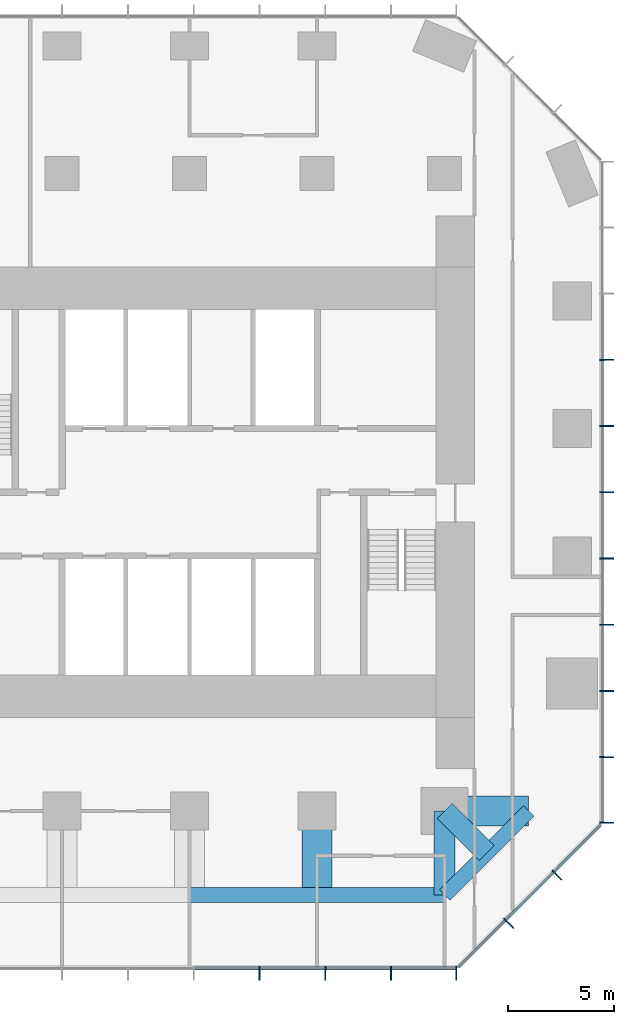
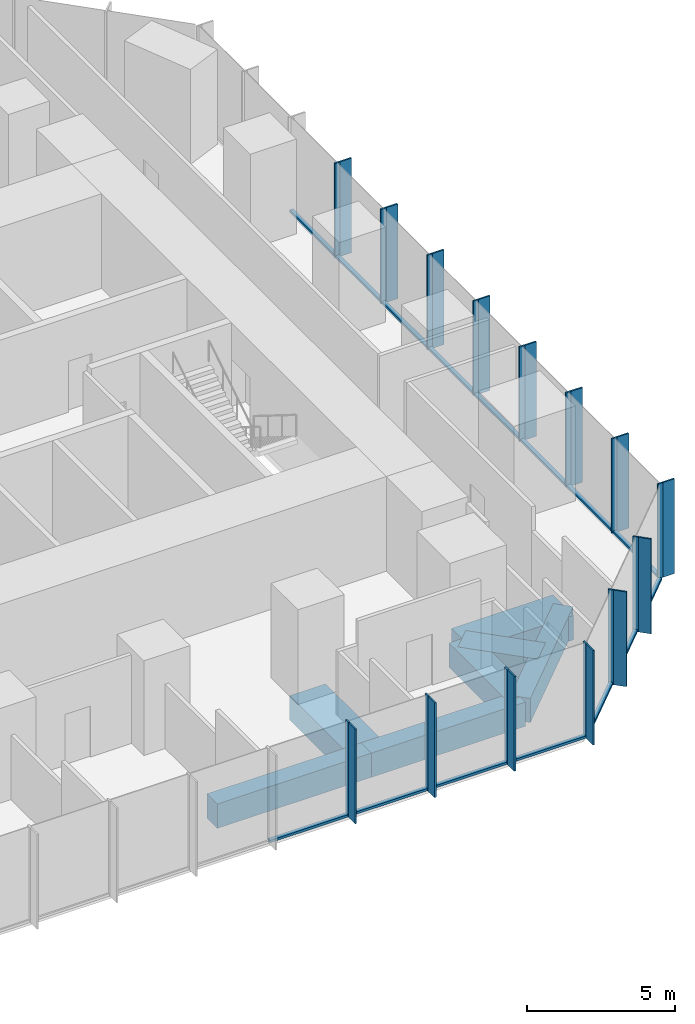
# One storey, part 4 of 11: 43 members, 7 beams, 3 elements without a shape of their own.
"""IFC4 building model written with IfcOpenShell, lengths in metres."""

import ifcopenshell
import ifcopenshell.guid

model = None  # the IFC model being written
_history = None  # IfcOwnerHistory: only IFC2X3 demands one
_inside = {}  # id of a spatial element -> (the spatial element, [elements in it])
_under = {}  # id of a project, library or spatial element -> (it, [spatial elements below it])
_declared = {}  # id of a project -> (the project, [libraries it declares])
_typed = {}  # id of a type object -> (the type object, [elements of that type])
_made_of = {}  # id of a material, layer set ... -> (it, [elements and type objects made of it])


def new_model(schema):
    """Start an empty IFC model of exactly this schema.

    Asked for "IFC4X3", IfcOpenShell would pick the latest addendum, in which some entities
    have other attributes; the version numbers below select the first issue.
    IFC2X3 requires an IfcOwnerHistory on every rooted entity: one is made here for all.
    """
    global model, _history
    if schema == "IFC4X3":
        model = ifcopenshell.file(schema_version=(4, 3, 0, 0))
    else:
        model = ifcopenshell.file(schema=schema)
    _inside.clear()
    _under.clear()
    _declared.clear()
    _typed.clear()
    _made_of.clear()
    _history = None
    if model.schema == "IFC2X3":
        org = make("IfcOrganization", Name="unknown")
        user = make(
            "IfcPersonAndOrganization",
            ThePerson=make("IfcPerson", FamilyName="unknown"),
            TheOrganization=org,
        )
        app = make(
            "IfcApplication",
            ApplicationDeveloper=org,
            Version="unknown",
            ApplicationFullName="unknown",
            ApplicationIdentifier="unknown",
        )
        _history = make(
            "IfcOwnerHistory",
            OwningUser=user,
            OwningApplication=app,
            ChangeAction="ADDED",
            CreationDate=0,
        )
    return model


def make(cls, **values):
    """One entity of the class cls with the attributes given. An attribute that is None is left unset."""
    return model.create_entity(
        cls, **{name: value for name, value in values.items() if value is not None}
    )


def rooted(cls, **values):
    """An entity with a GlobalId (a new one), such as an element, a storey or a relation."""
    return make(cls, GlobalId=ifcopenshell.guid.new(), OwnerHistory=_history, **values)


def si_unit(unit_type, name, prefix=None):
    """IfcSIUnit, for example si_unit("LENGTHUNIT", "METRE", prefix="MILLI")."""
    return make("IfcSIUnit", UnitType=unit_type, Prefix=prefix, Name=name)


def assignment(units):
    """IfcUnitAssignment: the units of a project."""
    return None if units is None else make("IfcUnitAssignment", Units=units)


def point(xyz):
    """IfcCartesianPoint."""
    return None if xyz is None else make("IfcCartesianPoint", Coordinates=xyz)


def direction(xyz):
    """IfcDirection."""
    return None if xyz is None else make("IfcDirection", DirectionRatios=xyz)


def frame(location, z_axis=None, x_axis=None):
    """IfcAxis2Placement3D, a coordinate frame: its origin and axes. An axis left out is left unset."""
    return make(
        "IfcAxis2Placement3D",
        Location=point(location),
        Axis=direction(z_axis),
        RefDirection=direction(x_axis),
    )


def frame_2d(location, x_axis=None):
    """IfcAxis2Placement2D, a coordinate frame in the plane: its origin and x axis."""
    return make(
        "IfcAxis2Placement2D", Location=point(location), RefDirection=direction(x_axis)
    )


def origin():
    """The frame at (0, 0, 0) with its axes left unset."""
    return frame((0.0, 0.0, 0.0))


def origin_2d():
    """The frame at (0, 0) in the plane with its x axis left unset."""
    return frame_2d((0.0, 0.0))


def place(relative_to, where):
    """IfcLocalPlacement: puts the frame where relative to a parent placement (None: the world)."""
    return make(
        "IfcLocalPlacement", PlacementRelTo=relative_to, RelativePlacement=where
    )


def context(
    kind, dimensions, precision=None, world=None, true_north=None, identifier=None
):
    """IfcGeometricRepresentationContext, for example the 3D "Model" context."""
    return make(
        "IfcGeometricRepresentationContext",
        ContextIdentifier=identifier,
        ContextType=kind,
        CoordinateSpaceDimension=dimensions,
        Precision=precision,
        WorldCoordinateSystem=world,
        TrueNorth=true_north,
    )


def subcontext(parent, identifier, kind, view, scale=None):
    """IfcGeometricRepresentationSubContext, for example "Body" below "Model"."""
    return make(
        "IfcGeometricRepresentationSubContext",
        ContextIdentifier=identifier,
        ContextType=kind,
        ParentContext=parent,
        TargetScale=scale,
        TargetView=view,
    )


def project(units=None, contexts=None):
    """IfcProject with its units and contexts."""
    return rooted(
        "IfcProject",
        Name="project",
        RepresentationContexts=contexts,
        UnitsInContext=assignment(units),
    )


def spatial(cls, under=None, at=None, **own):
    """A site, building, storey or space (cls), placed at a placement, below another one or the project."""
    s = rooted(cls, ObjectPlacement=at, **own)
    if under is not None:
        _under.setdefault(under.id(), (under, []))[1].append(s)
    return s


def profile(cls, at=None, kind="AREA", **sizes):
    """A parametric profile (cls). Its sizes go by their IFC names, for example OverallWidth=200.0."""
    return make(cls, ProfileType=kind, Position=at, **sizes)


def rectangle(**sizes):
    """IfcRectangleProfileDef."""
    return profile("IfcRectangleProfileDef", **sizes)


def extrude(swept, where, along, depth):
    """IfcExtrudedAreaSolid: the profile swept, set in the frame where, extruded along a direction by depth."""
    return make(
        "IfcExtrudedAreaSolid",
        SweptArea=swept,
        Position=where,
        ExtrudedDirection=direction(along),
        Depth=depth,
    )


def shape(context_of_items, identifier, shape_type, items):
    """IfcShapeRepresentation: the items that make up one representation, for example the "Body"."""
    return make(
        "IfcShapeRepresentation",
        ContextOfItems=context_of_items,
        RepresentationIdentifier=identifier,
        RepresentationType=shape_type,
        Items=items,
    )


def material(Name=None, Category=None):
    """IfcMaterial."""
    return make("IfcMaterial", Name=Name, Category=Category)


def layer(
    of_material, thickness, ventilated=None, Name=None, Category=None, Priority=None
):
    """IfcMaterialLayer: one layer of a wall or slab, of a material (None: an air gap)."""
    return make(
        "IfcMaterialLayer",
        Material=of_material,
        LayerThickness=thickness,
        IsVentilated=ventilated,
        Name=Name,
        Category=Category,
        Priority=Priority,
    )


def layer_set(layers, Name=None):
    """IfcMaterialLayerSet."""
    return make("IfcMaterialLayerSet", MaterialLayers=layers, LayerSetName=Name)


def material_profile(
    of_material, cross_section, Name=None, Category=None, Priority=None
):
    """IfcMaterialProfile: a cross section and its material."""
    return make(
        "IfcMaterialProfile",
        Name=Name,
        Material=of_material,
        Profile=cross_section,
        Priority=Priority,
        Category=Category,
    )


def profile_set(profiles, Name=None, composite=None):
    """IfcMaterialProfileSet."""
    return make(
        "IfcMaterialProfileSet",
        Name=Name,
        MaterialProfiles=profiles,
        CompositeProfile=composite,
    )


def made_of(thing, what):
    """Note that an element or type object is made of a material, layer set ...; save() writes the relation."""
    if what is not None:
        _made_of.setdefault(what.id(), (what, []))[1].append(thing)
    return thing


def type_object(cls, material=None, **own):
    """A type object (cls), such as IfcWallType, which elements share."""
    return made_of(rooted(cls, **own), material)


def element(
    cls,
    number,
    at=None,
    inside=None,
    cuts=None,
    type_object=None,
    material=None,
    context=None,
    identifier="Body",
    shape_type=None,
    held_by="IfcProductDefinitionShape",
    body=None,
    shapes=None,
    **own,
):
    """One element of the class cls, such as IfcWall. Its Tag is "e" and its number.

    at: its placement. inside: the storey or other place that contains it. cuts: it is an
    opening in that element (IfcRelVoidsElement). A single representation is given by context,
    identifier, shape_type and body (its items); several are given by shapes. held_by: the class
    of the entity that holds the representations. save() writes the other relations.
    """
    e = rooted(cls, Tag="e%d" % number, ObjectPlacement=at, **own)
    if body is not None:
        shapes = [shape(context, identifier, shape_type, body)]
    if shapes is not None:
        e.Representation = make(held_by, Representations=shapes)
    if inside is not None:
        _inside.setdefault(inside.id(), (inside, []))[1].append(e)
    if cuts is not None:
        rooted(
            "IfcRelVoidsElement", RelatingBuildingElement=cuts, RelatedOpeningElement=e
        )
    if type_object is not None:
        _typed.setdefault(type_object.id(), (type_object, []))[1].append(e)
    return made_of(e, material)


def aggregate(whole, parts):
    """IfcRelAggregates: a whole, such as a stair, and the parts it consists of."""
    return rooted("IfcRelAggregates", RelatingObject=whole, RelatedObjects=parts)


def save(model, path):
    """Write the relations noted so far, then the file.

    IfcRelAggregates (storeys below a building ...), IfcRelContainedInSpatialStructure (elements
    in a storey), IfcRelDefinesByType, IfcRelAssociatesMaterial and IfcRelDeclares: one each for
    every whole, place, type object, material and project.
    """
    for whole, parts in _under.values():
        aggregate(whole, parts)
    for where, things in _inside.values():
        rooted(
            "IfcRelContainedInSpatialStructure",
            RelatedElements=things,
            RelatingStructure=where,
        )
    for kind, things in _typed.values():
        rooted("IfcRelDefinesByType", RelatedObjects=things, RelatingType=kind)
    for what, things in _made_of.values():
        rooted("IfcRelAssociatesMaterial", RelatedObjects=things, RelatingMaterial=what)
    for by, libraries in _declared.values():
        rooted("IfcRelDeclares", RelatingContext=by, RelatedDefinitions=libraries)
    model.write(path)


model = new_model("IFC4")

# Units and contexts
model_context = context("Model", 3, precision=1e-05, world=origin(), true_north=direction((0.0, 1.0)))
body_context = subcontext(model_context, "Body", "Model", "MODEL_VIEW")
ifc_project = project(units=[si_unit("LENGTHUNIT", "METRE"), si_unit("AREAUNIT", "SQUARE_METRE"), si_unit("VOLUMEUNIT", "CUBIC_METRE"), si_unit("PLANEANGLEUNIT", "RADIAN"), si_unit("MASSUNIT", "GRAM", prefix="KILO")], contexts=[model_context])

# Site, building, storey
site_placement = place(None, origin())
site = spatial("IfcSite", under=ifc_project, at=site_placement, CompositionType="ELEMENT")
building_placement = place(site_placement, origin())
building = spatial("IfcBuilding", under=site, at=building_placement, Name="Highveld Stack Headquarters", CompositionType="ELEMENT")
storey_placement = place(building_placement, frame((0.0, 0.0, 125.0)))
storey = spatial("IfcBuildingStorey", under=building, at=storey_placement, Name="L30", CompositionType="ELEMENT", Elevation=125.0)

# Beams
ifc_material_1 = material(Name="Concrete C60/75", Category="concrete")
ifc_material_profile_1 = material_profile(ifc_material_1, rectangle(XDim=1.0, YDim=1.0, at=origin_2d()), Name="RC 1000x1000")
ifc_profile_set_1 = profile_set([ifc_material_profile_1], Name="Concrete C60/75")
beam_type_1 = type_object("IfcBeamType", Name="CANTILEVER RIB RC 1000x1000", PredefinedType="USERDEFINED", material=ifc_profile_set_1)
beam_1_placement = place(storey_placement, frame((18.0, -12.0, -0.75), z_axis=(0.0, -1.0, 0.0), x_axis=(1.0, 0.0, 0.0)))
element("IfcBeam", 1, at=beam_1_placement, inside=storey, type_object=beam_type_1, Name="Cantilever rib 9/C L30", ObjectType="CANTILEVER RIB", PredefinedType="USERDEFINED", context=body_context, shape_type="SweptSolid", body=[
    extrude(rectangle(XDim=1.0, YDim=1.0, at=origin_2d()), origin(), (0.0, 0.0, 1.0), 3.949951171875),
])
beam_2_placement = place(storey_placement, frame((18.0, -12.0, -0.75), z_axis=(0.707106781187, -0.707106781187, 0.0), x_axis=(0.707106781187, 0.707106781187, 0.0)))
element("IfcBeam", 2, at=beam_2_placement, inside=storey, type_object=beam_type_1, Name="Cantilever rib 9/C L30", ObjectType="CANTILEVER RIB", PredefinedType="USERDEFINED", context=body_context, shape_type="SweptSolid", body=[
    extrude(rectangle(XDim=1.0, YDim=1.0, at=origin_2d()), origin(), (0.0, 0.0, 1.0), 2.793212890625),
])
ifc_material_2 = material(Name="Concrete C60/75", Category="concrete")
ifc_material_profile_2 = material_profile(ifc_material_2, rectangle(XDim=1.39990234375, YDim=1.0, at=origin_2d()), Name="RC 1400x1000")
ifc_profile_set_2 = profile_set([ifc_material_profile_2], Name="Concrete C60/75")
beam_type_2 = type_object("IfcBeamType", Name="CANTILEVER RIB RC 1400x1000", PredefinedType="USERDEFINED", material=ifc_profile_set_2)
for number, where, z_axis, x_axis, name in (
    (3, (12.0, -12.0, -0.75), (0.0, -1.0, 0.0), (1.0, 0.0, 0.0), "Cantilever rib 8/C L30"),
    (4, (18.0, -12.0, -0.75), (1.0, 0.0, 0.0), (0.0, 1.0, 0.0), "Cantilever rib 9/C L30"),
):
    element("IfcBeam", number, at=place(storey_placement, frame(where, z_axis=z_axis, x_axis=x_axis)), inside=storey, type_object=beam_type_2, Name=name, ObjectType="CANTILEVER RIB", PredefinedType="USERDEFINED", context=body_context, shape_type="SweptSolid", body=[
        extrude(rectangle(XDim=1.39990234375, YDim=1.0, at=origin_2d()), origin(), (0.0, 0.0, 1.0), 3.949951171875),
    ])

# Curtain wall, members
ifc_material_3 = material(Name="Aluminium bronze anodised", Category="aluminium")
ifc_layer_1 = layer(ifc_material_3, 0.199951171875)
ifc_layer_set_1 = layer_set([ifc_layer_1], Name="Aluminium bronze anodised")
curtain_wall_type_1 = type_object("IfcCurtainWallType", Name="CW1 TOWER UNITISED CURTAIN WALL", PredefinedType="NOTDEFINED", material=ifc_layer_set_1)
curtain_wall_1_placement = place(storey_placement, origin())
curtain_wall_1 = element("IfcCurtainWall", 5, at=curtain_wall_1_placement, inside=storey, type_object=curtain_wall_type_1, Name="Curtain wall CW1 L30 S", PredefinedType="NOTDEFINED")
ifc_material_4 = material(Name="Aluminium bronze anodised", Category="aluminium")
ifc_material_profile_3 = material_profile(ifc_material_4, rectangle(XDim=0.449951171875, YDim=0.06005859375, at=origin_2d()), Name="FIN 450x60")
ifc_profile_set_3 = profile_set([ifc_material_profile_3], Name="Aluminium bronze anodised")
member_type_1 = type_object("IfcMemberType", Name="CW1 BRONZE FIN 450x60", PredefinedType="USERDEFINED", material=ifc_profile_set_3)
member_1_placement = place(storey_placement, frame((9.2900390625, -19.72509765625, 0.0), z_axis=(0.0, 0.0, 1.0), x_axis=(0.0, 1.0, 0.0)))
member_1 = element("IfcMember", 6, at=member_1_placement, type_object=member_type_1, Name="CW1 fin L30 10", ObjectType="FIN", PredefinedType="USERDEFINED", context=body_context, shape_type="SweptSolid", body=[
    extrude(rectangle(XDim=0.449951171875, YDim=0.06005859375, at=origin_2d()), origin(), (0.0, 0.0, 1.0), 3.89990234375),
])
member_2_placement = place(storey_placement, frame((12.38671875, -19.72509765625, 0.0), z_axis=(0.0, 0.0, 1.0), x_axis=(0.0, 1.0, 0.0)))
member_2 = element("IfcMember", 7, at=member_2_placement, type_object=member_type_1, Name="CW1 fin L30 11", ObjectType="FIN", PredefinedType="USERDEFINED", context=body_context, shape_type="SweptSolid", body=[
    extrude(rectangle(XDim=0.449951171875, YDim=0.06005859375, at=origin_2d()), origin(), (0.0, 0.0, 1.0), 3.89990234375),
])
member_3_placement = place(storey_placement, frame((15.4833984375, -19.72509765625, 0.0), z_axis=(0.0, 0.0, 1.0), x_axis=(0.0, 1.0, 0.0)))
member_3 = element("IfcMember", 8, at=member_3_placement, type_object=member_type_1, Name="CW1 fin L30 12", ObjectType="FIN", PredefinedType="USERDEFINED", context=body_context, shape_type="SweptSolid", body=[
    extrude(rectangle(XDim=0.449951171875, YDim=0.06005859375, at=origin_2d()), origin(), (0.0, 0.0, 1.0), 3.89990234375),
])
member_4_placement = place(storey_placement, frame((18.54736328125, -19.72509765625, 0.0), z_axis=(0.0, 0.0, 1.0), x_axis=(0.0, 1.0, 0.0)))
member_4 = element("IfcMember", 9, at=member_4_placement, type_object=member_type_1, Name="CW1 fin L30 13", ObjectType="FIN", PredefinedType="USERDEFINED", context=body_context, shape_type="SweptSolid", body=[
    extrude(rectangle(XDim=0.449951171875, YDim=0.06005859375, at=origin_2d()), origin(), (0.0, 0.0, 1.0), 3.89990234375),
])

curtain_wall_2_placement = place(storey_placement, origin())
curtain_wall_2 = element("IfcCurtainWall", 10, at=curtain_wall_2_placement, inside=storey, type_object=curtain_wall_type_1, Name="Curtain wall CW1 L30 E", PredefinedType="NOTDEFINED")
member_5_placement = place(storey_placement, frame((25.72509765625, -12.54736328125, 0.0), z_axis=(0.0, 0.0, 1.0), x_axis=(-1.0, 0.0, 0.0)))
member_5 = element("IfcMember", 11, at=member_5_placement, type_object=member_type_1, Name="CW1 fin L30 1", ObjectType="FIN", PredefinedType="USERDEFINED", context=body_context, shape_type="SweptSolid", body=[
    extrude(rectangle(XDim=0.449951171875, YDim=0.06005859375, at=origin_2d()), origin(), (0.0, 0.0, 1.0), 3.89990234375),
])
member_6_placement = place(storey_placement, frame((25.72509765625, -9.4638671875, 0.0), z_axis=(0.0, 0.0, 1.0), x_axis=(-1.0, 0.0, 0.0)))
member_6 = element("IfcMember", 12, at=member_6_placement, type_object=member_type_1, Name="CW1 fin L30 2", ObjectType="FIN", PredefinedType="USERDEFINED", context=body_context, shape_type="SweptSolid", body=[
    extrude(rectangle(XDim=0.449951171875, YDim=0.06005859375, at=origin_2d()), origin(), (0.0, 0.0, 1.0), 3.89990234375),
])
member_7_placement = place(storey_placement, frame((25.72509765625, -6.347900390625, 0.0), z_axis=(0.0, 0.0, 1.0), x_axis=(-1.0, 0.0, 0.0)))
member_7 = element("IfcMember", 13, at=member_7_placement, type_object=member_type_1, Name="CW1 fin L30 3", ObjectType="FIN", PredefinedType="USERDEFINED", context=body_context, shape_type="SweptSolid", body=[
    extrude(rectangle(XDim=0.449951171875, YDim=0.06005859375, at=origin_2d()), origin(), (0.0, 0.0, 1.0), 3.89990234375),
])
member_8_placement = place(storey_placement, frame((25.72509765625, -3.23193359375, 0.0), z_axis=(0.0, 0.0, 1.0), x_axis=(-1.0, 0.0, 0.0)))
member_8 = element("IfcMember", 14, at=member_8_placement, type_object=member_type_1, Name="CW1 fin L30 4", ObjectType="FIN", PredefinedType="USERDEFINED", context=body_context, shape_type="SweptSolid", body=[
    extrude(rectangle(XDim=0.449951171875, YDim=0.06005859375, at=origin_2d()), origin(), (0.0, 0.0, 1.0), 3.89990234375),
])
member_9_placement = place(storey_placement, frame((25.72509765625, -0.115966796875, 0.0), z_axis=(0.0, 0.0, 1.0), x_axis=(-1.0, 0.0, 0.0)))
member_9 = element("IfcMember", 15, at=member_9_placement, type_object=member_type_1, Name="CW1 fin L30 5", ObjectType="FIN", PredefinedType="USERDEFINED", context=body_context, shape_type="SweptSolid", body=[
    extrude(rectangle(XDim=0.449951171875, YDim=0.06005859375, at=origin_2d()), origin(), (0.0, 0.0, 1.0), 3.89990234375),
])
member_10_placement = place(storey_placement, frame((25.72509765625, 3.0, 0.0), z_axis=(0.0, 0.0, 1.0), x_axis=(-1.0, 0.0, 0.0)))
member_10 = element("IfcMember", 16, at=member_10_placement, type_object=member_type_1, Name="CW1 fin L30 6", ObjectType="FIN", PredefinedType="USERDEFINED", context=body_context, shape_type="SweptSolid", body=[
    extrude(rectangle(XDim=0.449951171875, YDim=0.06005859375, at=origin_2d()), origin(), (0.0, 0.0, 1.0), 3.89990234375),
])
member_11_placement = place(storey_placement, frame((25.72509765625, 6.115966796875, 0.0), z_axis=(0.0, 0.0, 1.0), x_axis=(-1.0, 0.0, 0.0)))
member_11 = element("IfcMember", 17, at=member_11_placement, type_object=member_type_1, Name="CW1 fin L30 7", ObjectType="FIN", PredefinedType="USERDEFINED", context=body_context, shape_type="SweptSolid", body=[
    extrude(rectangle(XDim=0.449951171875, YDim=0.06005859375, at=origin_2d()), origin(), (0.0, 0.0, 1.0), 3.89990234375),
])
member_12_placement = place(storey_placement, frame((25.72509765625, 9.23193359375, 0.0), z_axis=(0.0, 0.0, 1.0), x_axis=(-1.0, 0.0, 0.0)))
member_12 = element("IfcMember", 18, at=member_12_placement, type_object=member_type_1, Name="CW1 fin L30 8", ObjectType="FIN", PredefinedType="USERDEFINED", context=body_context, shape_type="SweptSolid", body=[
    extrude(rectangle(XDim=0.449951171875, YDim=0.06005859375, at=origin_2d()), origin(), (0.0, 0.0, 1.0), 3.89990234375),
])

# Member
ifc_material_5 = material(Name="Aluminium bronze anodised", Category="aluminium")
ifc_material_profile_4 = material_profile(ifc_material_5, rectangle(XDim=0.199951171875, YDim=0.06494140625, at=origin_2d()), Name="CW1 MULLION 65x200")
ifc_profile_set_4 = profile_set([ifc_material_profile_4], Name="Aluminium bronze anodised")
member_type_2 = type_object("IfcMemberType", Name="CW1 MULLION 65x200", PredefinedType="MULLION", material=ifc_profile_set_4)
member_13_placement = place(storey_placement, frame((9.2900390625, -19.39990234375, 0.0), z_axis=(0.0, 0.0, 1.0), x_axis=(0.0, 1.0, 0.0)))
member_13 = element("IfcMember", 19, at=member_13_placement, type_object=member_type_2, Name="CW1 mullion L30 10", PredefinedType="MULLION", context=body_context, shape_type="SweptSolid", body=[
    extrude(rectangle(XDim=0.199951171875, YDim=0.06494140625, at=origin_2d()), origin(), (0.0, 0.0, 1.0), 3.89990234375),
])

member_14_placement = place(storey_placement, frame((12.38671875, -19.39990234375, 0.0), z_axis=(0.0, 0.0, 1.0), x_axis=(0.0, 1.0, 0.0)))
member_14 = element("IfcMember", 20, at=member_14_placement, type_object=member_type_2, Name="CW1 mullion L30 11", PredefinedType="MULLION", context=body_context, shape_type="SweptSolid", body=[
    extrude(rectangle(XDim=0.199951171875, YDim=0.06494140625, at=origin_2d()), origin(), (0.0, 0.0, 1.0), 3.89990234375),
])

member_15_placement = place(storey_placement, frame((15.4833984375, -19.39990234375, 0.0), z_axis=(0.0, 0.0, 1.0), x_axis=(0.0, 1.0, 0.0)))
member_15 = element("IfcMember", 21, at=member_15_placement, type_object=member_type_2, Name="CW1 mullion L30 12", PredefinedType="MULLION", context=body_context, shape_type="SweptSolid", body=[
    extrude(rectangle(XDim=0.199951171875, YDim=0.06494140625, at=origin_2d()), origin(), (0.0, 0.0, 1.0), 3.89990234375),
])

member_16_placement = place(storey_placement, frame((18.54736328125, -19.39990234375, 0.0), z_axis=(0.0, 0.0, 1.0), x_axis=(0.0, 1.0, 0.0)))
member_16 = element("IfcMember", 22, at=member_16_placement, type_object=member_type_2, Name="CW1 mullion L30 13", PredefinedType="MULLION", context=body_context, shape_type="SweptSolid", body=[
    extrude(rectangle(XDim=0.199951171875, YDim=0.06494140625, at=origin_2d()), origin(), (0.0, 0.0, 1.0), 3.89990234375),
])

member_17_placement = place(storey_placement, frame((25.39990234375, -12.54736328125, 0.0), z_axis=(0.0, 0.0, 1.0), x_axis=(-1.0, 0.0, 0.0)))
member_17 = element("IfcMember", 23, at=member_17_placement, type_object=member_type_2, Name="CW1 mullion L30 1", PredefinedType="MULLION", context=body_context, shape_type="SweptSolid", body=[
    extrude(rectangle(XDim=0.199951171875, YDim=0.06494140625, at=origin_2d()), origin(), (0.0, 0.0, 1.0), 3.89990234375),
])

member_18_placement = place(storey_placement, frame((25.39990234375, -9.4638671875, 0.0), z_axis=(0.0, 0.0, 1.0), x_axis=(-1.0, 0.0, 0.0)))
member_18 = element("IfcMember", 24, at=member_18_placement, type_object=member_type_2, Name="CW1 mullion L30 2", PredefinedType="MULLION", context=body_context, shape_type="SweptSolid", body=[
    extrude(rectangle(XDim=0.199951171875, YDim=0.06494140625, at=origin_2d()), origin(), (0.0, 0.0, 1.0), 3.89990234375),
])

member_19_placement = place(storey_placement, frame((25.39990234375, -6.347900390625, 0.0), z_axis=(0.0, 0.0, 1.0), x_axis=(-1.0, 0.0, 0.0)))
member_19 = element("IfcMember", 25, at=member_19_placement, type_object=member_type_2, Name="CW1 mullion L30 3", PredefinedType="MULLION", context=body_context, shape_type="SweptSolid", body=[
    extrude(rectangle(XDim=0.199951171875, YDim=0.06494140625, at=origin_2d()), origin(), (0.0, 0.0, 1.0), 3.89990234375),
])

member_20_placement = place(storey_placement, frame((25.39990234375, -3.23193359375, 0.0), z_axis=(0.0, 0.0, 1.0), x_axis=(-1.0, 0.0, 0.0)))
member_20 = element("IfcMember", 26, at=member_20_placement, type_object=member_type_2, Name="CW1 mullion L30 4", PredefinedType="MULLION", context=body_context, shape_type="SweptSolid", body=[
    extrude(rectangle(XDim=0.199951171875, YDim=0.06494140625, at=origin_2d()), origin(), (0.0, 0.0, 1.0), 3.89990234375),
])

member_21_placement = place(storey_placement, frame((25.39990234375, -0.115966796875, 0.0), z_axis=(0.0, 0.0, 1.0), x_axis=(-1.0, 0.0, 0.0)))
member_21 = element("IfcMember", 27, at=member_21_placement, type_object=member_type_2, Name="CW1 mullion L30 5", PredefinedType="MULLION", context=body_context, shape_type="SweptSolid", body=[
    extrude(rectangle(XDim=0.199951171875, YDim=0.06494140625, at=origin_2d()), origin(), (0.0, 0.0, 1.0), 3.89990234375),
])

member_22_placement = place(storey_placement, frame((25.39990234375, 3.0, 0.0), z_axis=(0.0, 0.0, 1.0), x_axis=(-1.0, 0.0, 0.0)))
member_22 = element("IfcMember", 28, at=member_22_placement, type_object=member_type_2, Name="CW1 mullion L30 6", PredefinedType="MULLION", context=body_context, shape_type="SweptSolid", body=[
    extrude(rectangle(XDim=0.199951171875, YDim=0.06494140625, at=origin_2d()), origin(), (0.0, 0.0, 1.0), 3.89990234375),
])

member_23_placement = place(storey_placement, frame((25.39990234375, 6.115966796875, 0.0), z_axis=(0.0, 0.0, 1.0), x_axis=(-1.0, 0.0, 0.0)))
member_23 = element("IfcMember", 29, at=member_23_placement, type_object=member_type_2, Name="CW1 mullion L30 7", PredefinedType="MULLION", context=body_context, shape_type="SweptSolid", body=[
    extrude(rectangle(XDim=0.199951171875, YDim=0.06494140625, at=origin_2d()), origin(), (0.0, 0.0, 1.0), 3.89990234375),
])

member_24_placement = place(storey_placement, frame((25.39990234375, 9.23193359375, 0.0), z_axis=(0.0, 0.0, 1.0), x_axis=(-1.0, 0.0, 0.0)))
member_24 = element("IfcMember", 30, at=member_24_placement, type_object=member_type_2, Name="CW1 mullion L30 8", PredefinedType="MULLION", context=body_context, shape_type="SweptSolid", body=[
    extrude(rectangle(XDim=0.199951171875, YDim=0.06494140625, at=origin_2d()), origin(), (0.0, 0.0, 1.0), 3.89990234375),
])

ifc_material_6 = material(Name="Aluminium bronze anodised", Category="aluminium")
ifc_material_profile_5 = material_profile(ifc_material_6, rectangle(XDim=0.14990234375, YDim=0.10009765625, at=origin_2d()), Name="CW1 TRANSOM 150x100")
ifc_profile_set_5 = profile_set([ifc_material_profile_5], Name="Aluminium bronze anodised")
member_type_3 = type_object("IfcMemberType", Name="CW1 STACK TRANSOM 150x100", PredefinedType="USERDEFINED", material=ifc_profile_set_5)
member_25_placement = place(storey_placement, frame((6.225830078125, -19.39990234375, 0.050048828125), z_axis=(1.0, 0.0, 0.0), x_axis=(0.0, 1.0, 0.0)))
member_25 = element("IfcMember", 31, at=member_25_placement, type_object=member_type_3, Name="CW1 transom L30 9.1", ObjectType="TRANSOM", PredefinedType="USERDEFINED", context=body_context, shape_type="SweptSolid", body=[
    extrude(rectangle(XDim=0.14990234375, YDim=0.10009765625, at=origin_2d()), origin(), (0.0, 0.0, 1.0), 3.03173828125),
])

member_26_placement = place(storey_placement, frame((9.322509765625, -19.39990234375, 0.050048828125), z_axis=(1.0, 0.0, 0.0), x_axis=(0.0, 1.0, 0.0)))
member_26 = element("IfcMember", 32, at=member_26_placement, type_object=member_type_3, Name="CW1 transom L30 10.1", ObjectType="TRANSOM", PredefinedType="USERDEFINED", context=body_context, shape_type="SweptSolid", body=[
    extrude(rectangle(XDim=0.14990234375, YDim=0.10009765625, at=origin_2d()), origin(), (0.0, 0.0, 1.0), 3.031494140625),
])

member_27_placement = place(storey_placement, frame((12.419189453125, -19.39990234375, 0.050048828125), z_axis=(1.0, 0.0, 0.0), x_axis=(0.0, 1.0, 0.0)))
member_27 = element("IfcMember", 33, at=member_27_placement, type_object=member_type_3, Name="CW1 transom L30 11.1", ObjectType="TRANSOM", PredefinedType="USERDEFINED", context=body_context, shape_type="SweptSolid", body=[
    extrude(rectangle(XDim=0.14990234375, YDim=0.10009765625, at=origin_2d()), origin(), (0.0, 0.0, 1.0), 3.031494140625),
])

member_28_placement = place(storey_placement, frame((15.515869140625, -19.39990234375, 0.050048828125), z_axis=(1.0, 0.0, 0.0), x_axis=(0.0, 1.0, 0.0)))
member_28 = element("IfcMember", 34, at=member_28_placement, type_object=member_type_3, Name="CW1 transom L30 12.1", ObjectType="TRANSOM", PredefinedType="USERDEFINED", context=body_context, shape_type="SweptSolid", body=[
    extrude(rectangle(XDim=0.14990234375, YDim=0.10009765625, at=origin_2d()), origin(), (0.0, 0.0, 1.0), 2.9990234375),
])

aggregate(curtain_wall_1, [member_13, member_1, member_14, member_2, member_15, member_3, member_16, member_4, member_25, member_26, member_27, member_28])

member_29_placement = place(storey_placement, frame((25.39990234375, -12.514892578125, 0.050048828125), z_axis=(0.0, 1.0, 0.0), x_axis=(-1.0, 0.0, 0.0)))
member_29 = element("IfcMember", 35, at=member_29_placement, type_object=member_type_3, Name="CW1 transom L30 1.1", ObjectType="TRANSOM", PredefinedType="USERDEFINED", context=body_context, shape_type="SweptSolid", body=[
    extrude(rectangle(XDim=0.14990234375, YDim=0.10009765625, at=origin_2d()), origin(), (0.0, 0.0, 1.0), 3.0185546875),
])

member_30_placement = place(storey_placement, frame((25.39990234375, -9.431396484375, 0.050048828125), z_axis=(0.0, 1.0, 0.0), x_axis=(-1.0, 0.0, 0.0)))
member_30 = element("IfcMember", 36, at=member_30_placement, type_object=member_type_3, Name="CW1 transom L30 2.1", ObjectType="TRANSOM", PredefinedType="USERDEFINED", context=body_context, shape_type="SweptSolid", body=[
    extrude(rectangle(XDim=0.14990234375, YDim=0.10009765625, at=origin_2d()), origin(), (0.0, 0.0, 1.0), 3.051025390625),
])

member_31_placement = place(storey_placement, frame((25.39990234375, -6.3154296875, 0.050048828125), z_axis=(0.0, 1.0, 0.0), x_axis=(-1.0, 0.0, 0.0)))
member_31 = element("IfcMember", 37, at=member_31_placement, type_object=member_type_3, Name="CW1 transom L30 3.1", ObjectType="TRANSOM", PredefinedType="USERDEFINED", context=body_context, shape_type="SweptSolid", body=[
    extrude(rectangle(XDim=0.14990234375, YDim=0.10009765625, at=origin_2d()), origin(), (0.0, 0.0, 1.0), 3.051025390625),
])

member_32_placement = place(storey_placement, frame((25.39990234375, -3.199462890625, 0.050048828125), z_axis=(0.0, 1.0, 0.0), x_axis=(-1.0, 0.0, 0.0)))
member_32 = element("IfcMember", 38, at=member_32_placement, type_object=member_type_3, Name="CW1 transom L30 4.1", ObjectType="TRANSOM", PredefinedType="USERDEFINED", context=body_context, shape_type="SweptSolid", body=[
    extrude(rectangle(XDim=0.14990234375, YDim=0.10009765625, at=origin_2d()), origin(), (0.0, 0.0, 1.0), 3.051025390625),
])

member_33_placement = place(storey_placement, frame((25.39990234375, -0.08349609375, 0.050048828125), z_axis=(0.0, 1.0, 0.0), x_axis=(-1.0, 0.0, 0.0)))
member_33 = element("IfcMember", 39, at=member_33_placement, type_object=member_type_3, Name="CW1 transom L30 5.1", ObjectType="TRANSOM", PredefinedType="USERDEFINED", context=body_context, shape_type="SweptSolid", body=[
    extrude(rectangle(XDim=0.14990234375, YDim=0.10009765625, at=origin_2d()), origin(), (0.0, 0.0, 1.0), 3.051025390625),
])

member_34_placement = place(storey_placement, frame((25.39990234375, 3.032470703125, 0.050048828125), z_axis=(0.0, 1.0, 0.0), x_axis=(-1.0, 0.0, 0.0)))
member_34 = element("IfcMember", 40, at=member_34_placement, type_object=member_type_3, Name="CW1 transom L30 6.1", ObjectType="TRANSOM", PredefinedType="USERDEFINED", context=body_context, shape_type="SweptSolid", body=[
    extrude(rectangle(XDim=0.14990234375, YDim=0.10009765625, at=origin_2d()), origin(), (0.0, 0.0, 1.0), 3.051025390625),
])

member_35_placement = place(storey_placement, frame((25.39990234375, 6.1484375, 0.050048828125), z_axis=(0.0, 1.0, 0.0), x_axis=(-1.0, 0.0, 0.0)))
member_35 = element("IfcMember", 41, at=member_35_placement, type_object=member_type_3, Name="CW1 transom L30 7.1", ObjectType="TRANSOM", PredefinedType="USERDEFINED", context=body_context, shape_type="SweptSolid", body=[
    extrude(rectangle(XDim=0.14990234375, YDim=0.10009765625, at=origin_2d()), origin(), (0.0, 0.0, 1.0), 3.051025390625),
])

member_36_placement = place(storey_placement, frame((25.39990234375, 9.264404296875, 0.050048828125), z_axis=(0.0, 1.0, 0.0), x_axis=(-1.0, 0.0, 0.0)))
member_36 = element("IfcMember", 42, at=member_36_placement, type_object=member_type_3, Name="CW1 transom L30 8.1", ObjectType="TRANSOM", PredefinedType="USERDEFINED", context=body_context, shape_type="SweptSolid", body=[
    extrude(rectangle(XDim=0.14990234375, YDim=0.10009765625, at=origin_2d()), origin(), (0.0, 0.0, 1.0), 3.051025390625),
])

aggregate(curtain_wall_2, [member_17, member_5, member_18, member_6, member_19, member_7, member_20, member_8, member_21, member_9, member_22, member_10, member_23, member_11, member_24, member_12, member_29, member_30, member_31, member_32, member_33, member_34, member_35, member_36])

# Curtain wall, members
ifc_material_7 = material(Name="Aluminium bronze anodised", Category="aluminium")
ifc_layer_2 = layer(ifc_material_7, 0.199951171875)
ifc_layer_set_2 = layer_set([ifc_layer_2], Name="Aluminium bronze anodised")
curtain_wall_type_2 = type_object("IfcCurtainWallType", Name="CW2 TOWER CHAMFER UNITISED CURTAIN WALL", PredefinedType="NOTDEFINED", material=ifc_layer_set_2)
curtain_wall_3_placement = place(storey_placement, origin())
curtain_wall_3 = element("IfcCurtainWall", 43, at=curtain_wall_3_placement, inside=storey, type_object=curtain_wall_type_2, Name="Curtain wall CW2 L30 SE", PredefinedType="NOTDEFINED")
ifc_material_8 = material(Name="Aluminium bronze anodised", Category="aluminium")
ifc_material_profile_6 = material_profile(ifc_material_8, rectangle(XDim=0.449951171875, YDim=0.06005859375, at=origin_2d()), Name="FIN 450x60")
ifc_profile_set_6 = profile_set([ifc_material_profile_6], Name="Aluminium bronze anodised")
member_type_4 = type_object("IfcMemberType", Name="CW2 BRONZE FIN 450x60", PredefinedType="USERDEFINED", material=ifc_profile_set_6)
member_37_placement = place(storey_placement, frame((21.0830078125, -17.3564453125, 0.0), z_axis=(0.0, 0.0, 1.0), x_axis=(-0.707106781187, 0.707106781187, 0.0)))
member_37 = element("IfcMember", 44, at=member_37_placement, type_object=member_type_4, Name="CW2 fin L30 1", ObjectType="FIN", PredefinedType="USERDEFINED", context=body_context, shape_type="SweptSolid", body=[
    extrude(rectangle(XDim=0.449951171875, YDim=0.06005859375, at=origin_2d()), origin(), (0.0, 0.0, 1.0), 3.89990234375),
])
member_38_placement = place(storey_placement, frame((23.3564453125, -15.0830078125, 0.0), z_axis=(0.0, 0.0, 1.0), x_axis=(-0.707106781187, 0.707106781187, 0.0)))
member_38 = element("IfcMember", 45, at=member_38_placement, type_object=member_type_4, Name="CW2 fin L30 2", ObjectType="FIN", PredefinedType="USERDEFINED", context=body_context, shape_type="SweptSolid", body=[
    extrude(rectangle(XDim=0.449951171875, YDim=0.06005859375, at=origin_2d()), origin(), (0.0, 0.0, 1.0), 3.89990234375),
])
ifc_material_9 = material(Name="Aluminium bronze anodised", Category="aluminium")
ifc_material_profile_7 = material_profile(ifc_material_9, rectangle(XDim=0.199951171875, YDim=0.06494140625, at=origin_2d()), Name="CW2 MULLION 65x200")
ifc_profile_set_7 = profile_set([ifc_material_profile_7], Name="Aluminium bronze anodised")
member_type_5 = type_object("IfcMemberType", Name="CW2 MULLION 65x200", PredefinedType="MULLION", material=ifc_profile_set_7)
member_39_placement = place(storey_placement, frame((20.853271484375, -17.126708984375, 0.0), z_axis=(0.0, 0.0, 1.0), x_axis=(-0.707106781187, 0.707106781187, 0.0)))
member_39 = element("IfcMember", 46, at=member_39_placement, type_object=member_type_5, Name="CW2 mullion L30 1", PredefinedType="MULLION", context=body_context, shape_type="SweptSolid", body=[
    extrude(rectangle(XDim=0.199951171875, YDim=0.06494140625, at=origin_2d()), origin(), (0.0, 0.0, 1.0), 3.89990234375),
])
member_40_placement = place(storey_placement, frame((23.126708984375, -14.853271484375, 0.0), z_axis=(0.0, 0.0, 1.0), x_axis=(-0.707106781187, 0.707106781187, 0.0)))
member_40 = element("IfcMember", 47, at=member_40_placement, type_object=member_type_5, Name="CW2 mullion L30 2", PredefinedType="MULLION", context=body_context, shape_type="SweptSolid", body=[
    extrude(rectangle(XDim=0.199951171875, YDim=0.06494140625, at=origin_2d()), origin(), (0.0, 0.0, 1.0), 3.89990234375),
])
ifc_material_10 = material(Name="Aluminium bronze anodised", Category="aluminium")
ifc_material_profile_8 = material_profile(ifc_material_10, rectangle(XDim=0.14990234375, YDim=0.10009765625, at=origin_2d()), Name="CW2 TRANSOM 150x100")
ifc_profile_set_8 = profile_set([ifc_material_profile_8], Name="Aluminium bronze anodised")
member_type_6 = type_object("IfcMemberType", Name="CW2 STACK TRANSOM 150x100", PredefinedType="USERDEFINED", material=ifc_profile_set_8)
member_41_placement = place(storey_placement, frame((18.650634765625, -19.329345703125, 0.050048828125), z_axis=(0.707106781187, 0.707106781187, 0.0), x_axis=(-0.707106781187, 0.707106781187, 0.0)))
member_41 = element("IfcMember", 48, at=member_41_placement, type_object=member_type_6, Name="CW2 transom L30 1.1", ObjectType="TRANSOM", PredefinedType="USERDEFINED", context=body_context, shape_type="SweptSolid", body=[
    extrude(rectangle(XDim=0.14990234375, YDim=0.10009765625, at=origin_2d()), origin(), (0.0, 0.0, 1.0), 3.08251953125),
])
member_42_placement = place(storey_placement, frame((20.876220703125, -17.103759765625, 0.050048828125), z_axis=(0.707106781187, 0.707106781187, 0.0), x_axis=(-0.707106781187, 0.707106781187, 0.0)))
member_42 = element("IfcMember", 49, at=member_42_placement, type_object=member_type_6, Name="CW2 transom L30 2.1", ObjectType="TRANSOM", PredefinedType="USERDEFINED", context=body_context, shape_type="SweptSolid", body=[
    extrude(rectangle(XDim=0.14990234375, YDim=0.10009765625, at=origin_2d()), origin(), (0.0, 0.0, 1.0), 3.150146484375),
])
member_43_placement = place(storey_placement, frame((23.149658203125, -14.830322265625, 0.050048828125), z_axis=(0.707106781187, 0.707106781187, 0.0), x_axis=(-0.707106781187, 0.707106781187, 0.0)))
member_43 = element("IfcMember", 50, at=member_43_placement, type_object=member_type_6, Name="CW2 transom L30 3.1", ObjectType="TRANSOM", PredefinedType="USERDEFINED", context=body_context, shape_type="SweptSolid", body=[
    extrude(rectangle(XDim=0.14990234375, YDim=0.10009765625, at=origin_2d()), origin(), (0.0, 0.0, 1.0), 3.08251953125),
])
aggregate(curtain_wall_3, [member_39, member_37, member_40, member_38, member_41, member_42, member_43])

# Beams
ifc_material_11 = material(Name="Concrete C60/75", Category="concrete")
ifc_material_profile_9 = material_profile(ifc_material_11, rectangle(XDim=0.699951171875, YDim=1.0, at=origin_2d()), Name="RC 700x1000")
ifc_profile_set_9 = profile_set([ifc_material_profile_9], Name="Concrete C60/75")
beam_type_3 = type_object("IfcBeamType", Name="RIB TIP BEAM RC 700x1000", PredefinedType="SPANDREL", material=ifc_profile_set_9)
for number, where, z_axis, x_axis, name in (
    (51, (6.0, -15.949951171875, -0.75), (1.0, 0.0, 0.0), (0.0, 1.0, 0.0), "Rib tip beam 7/C to 8/C L30"),
    (52, (12.0, -15.949951171875, -0.75), (1.0, 0.0, 0.0), (0.0, 1.0, 0.0), "Rib tip beam 8/C to 9/C L30"),
):
    element("IfcBeam", number, at=place(storey_placement, frame(where, z_axis=z_axis, x_axis=x_axis)), inside=storey, type_object=beam_type_3, Name=name, PredefinedType="SPANDREL", context=body_context, shape_type="SweptSolid", body=[
        extrude(rectangle(XDim=0.699951171875, YDim=1.0, at=origin_2d()), origin(), (0.0, 0.0, 1.0), 6.0),
    ])
beam_3_placement = place(storey_placement, frame((21.949951171875, -12.0, -0.75), z_axis=(-0.707106781187, -0.707106781187, 0.0), x_axis=(0.707106781187, -0.707106781187, 0.0)))
element("IfcBeam", 53, at=beam_3_placement, inside=storey, type_object=beam_type_3, Name="Rib tip beam 9/C corner L30", PredefinedType="SPANDREL", context=body_context, shape_type="SweptSolid", body=[
    extrude(rectangle(XDim=0.699951171875, YDim=1.0, at=origin_2d()), origin(), (0.0, 0.0, 1.0), 5.586181640625),
])

save(model, "model.ifc")
